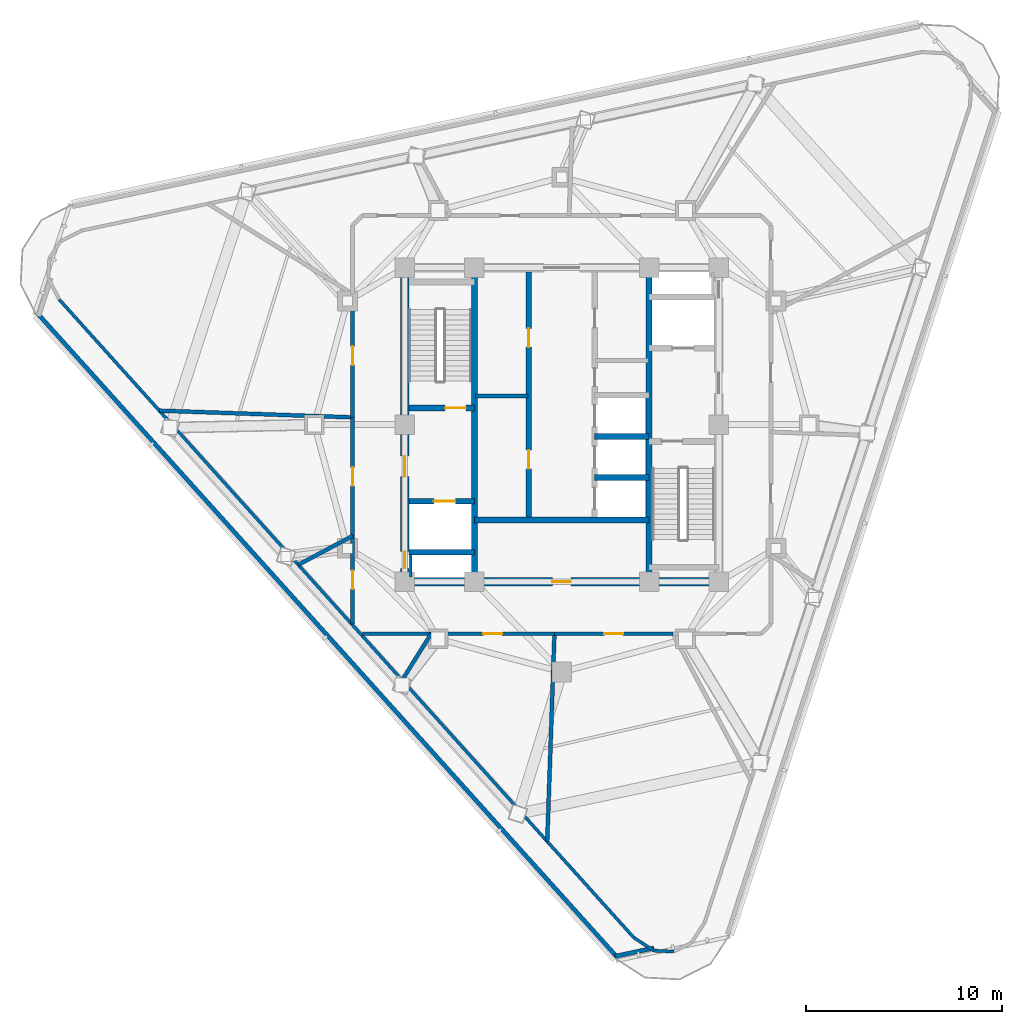
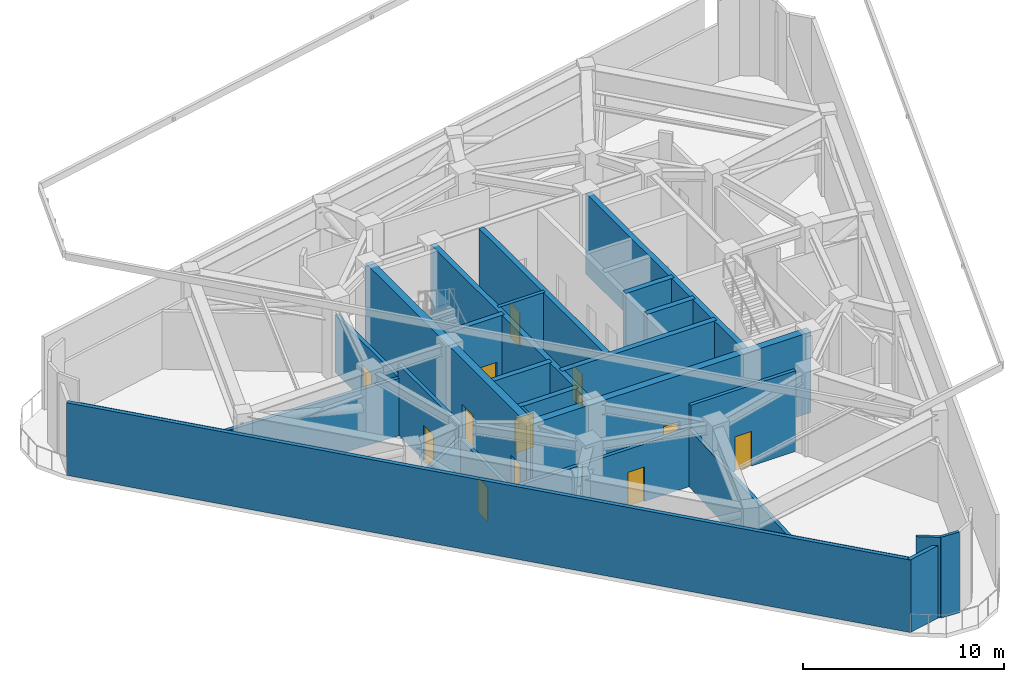
# One storey, part 3 of 10: 28 walls, 12 doors, 12 openings.
"""IFC4 building model written with IfcOpenShell, lengths in metres."""

from ifc_helpers import new_model, si_unit, direction, frame, frame_2d, origin, place, context, subcontext, project, spatial, rectangle, extrude, material, layer, layer_set, type_object, element, fill, save


model = new_model("IFC4")

# Units and contexts
model_context = context("Model", 3, precision=1e-05, world=origin(), true_north=direction((0.0, 1.0)))
body_context = subcontext(model_context, "Body", "Model", "MODEL_VIEW")
ifc_project = project(units=[si_unit("LENGTHUNIT", "METRE"), si_unit("AREAUNIT", "SQUARE_METRE"), si_unit("VOLUMEUNIT", "CUBIC_METRE"), si_unit("PLANEANGLEUNIT", "RADIAN"), si_unit("MASSUNIT", "GRAM", prefix="KILO")], contexts=[model_context])

# Site, building, storey
site_placement = place(None, origin())
site = spatial("IfcSite", under=ifc_project, at=site_placement, CompositionType="ELEMENT")
building_placement = place(site_placement, origin())
building = spatial("IfcBuilding", under=site, at=building_placement, Name="Terralouvre Media Tower", CompositionType="ELEMENT")
storey_placement = place(building_placement, frame((0.0, 0.0, 278.10009765625)))
storey = spatial("IfcBuildingStorey", under=building, at=storey_placement, Name="L72", CompositionType="ELEMENT", Elevation=278.10009765625)

# Walls
ifc_material_1 = material(Name="Concrete C50/60", Category="concrete")
ifc_layer_1 = layer(ifc_material_1, 0.300048828125, Name="Core Internal Shaft Wall CW-300")
ifc_layer_set_1 = layer_set([ifc_layer_1], Name="Concrete C50/60")
wall_type_1 = type_object("IfcWallType", Name="Core Internal Shaft Wall CW-300", PredefinedType="SHEAR", material=ifc_layer_set_1)
for number, where, z_axis, x_axis, name in (
    (1, (-4.449951171875, -7.7900390625, 0.0), (0.0, 0.0, 1.0), (0.0, 1.0, 0.0), "L72 Core Shaft Wall SPW"),
    (2, (4.449951171875, -7.7900390625, 0.0), (0.0, 0.0, 1.0), (0.0, 1.0, 0.0), "L72 Core Shaft Wall SPE"),
):
    element("IfcWall", number, at=place(storey_placement, frame(where, z_axis=z_axis, x_axis=x_axis)), inside=storey, type_object=wall_type_1, Name=name, PredefinedType="SHEAR", context=body_context, shape_type="SweptSolid", body=[
        extrude(rectangle(XDim=15.580078125, YDim=0.300048828125, at=frame_2d((7.7900390625, 0.0))), origin(), (0.0, 0.0, 1.0), 4.89990234375),
    ])

# Wall, opening, door
wall_1_placement = place(storey_placement, frame((-7.7900390625, 0.85009765625, 0.0), z_axis=(0.0, 0.0, 1.0), x_axis=(1.0, 0.0, 0.0)))
wall_1 = element("IfcWall", 3, at=wall_1_placement, inside=storey, type_object=wall_type_1, Name="L72 Core Shaft Wall ST1D", PredefinedType="SHEAR", context=body_context, shape_type="SweptSolid", body=[
    extrude(rectangle(XDim=3.340087890625, YDim=0.300048828125, at=frame_2d((1.669921875, 0.0))), origin(), (0.0, 0.0, 1.0), 4.89990234375),
])
opening_1_placement = place(wall_1_placement, frame((1.85009765625, 0.0, 0.0)))
opening_1 = element("IfcOpeningElement", 4, at=opening_1_placement, cuts=wall_1, Name="Opening FD-01-105X215", PredefinedType="OPENING", context=body_context, shape_type="SweptSolid", body=[
    extrude(rectangle(XDim=1.050048828125, YDim=2.14990234375, at=frame_2d((0.52490234375, 1.074951171875))), frame((0.0, 0.159912109375, 0.0), z_axis=(0.0, -1.0, 0.0), x_axis=(1.0, 0.0, 0.0)), (0.0, 0.0, 1.0), 0.320068359375),
])
ifc_material_2 = material(Name="Galvanised steel fire-resisting leaf", Category="steel")
door_type_1 = type_object("IfcDoorType", Name="Stair and Firefighting Lobby Fire Door FD-01 (1050x2150)", OperationType="NOTDEFINED", PredefinedType="DOOR", material=ifc_material_2)
door_1_placement = place(opening_1_placement, origin())
door_1 = element("IfcDoor", 5, at=door_1_placement, inside=storey, type_object=door_type_1, Name="L72 ST-01 Exit Stair Door", OperationType="SINGLE_SWING_LEFT", OverallHeight=2.14990234375, OverallWidth=1.050048828125, PredefinedType="DOOR", context=body_context, shape_type="SweptSolid", body=[
    extrude(rectangle(XDim=1.050048828125, YDim=2.14990234375, at=frame_2d((0.52490234375, 1.074951171875))), frame((0.0, 0.02490234375, 0.0), z_axis=(0.0, -1.0, 0.0), x_axis=(1.0, 0.0, 0.0)), (0.0, 0.0, 1.0), 0.050048828125),
])
fill(opening_1, door_1)

wall_2_placement = place(storey_placement, frame((-7.7900390625, -3.89990234375, 0.0), z_axis=(0.0, 0.0, 1.0), x_axis=(1.0, 0.0, 0.0)))
wall_2 = element("IfcWall", 6, at=wall_2_placement, inside=storey, type_object=wall_type_1, Name="L72 Core Shaft Wall FF1N", PredefinedType="SHEAR", context=body_context, shape_type="SweptSolid", body=[
    extrude(rectangle(XDim=3.340087890625, YDim=0.300048828125, at=frame_2d((1.669921875, 0.0))), origin(), (0.0, 0.0, 1.0), 4.89990234375),
])
opening_2_placement = place(wall_2_placement, frame((1.27001953125, 0.0, 0.0)))
opening_2 = element("IfcOpeningElement", 7, at=opening_2_placement, cuts=wall_2, Name="Opening LD-FF", PredefinedType="OPENING", context=body_context, shape_type="SweptSolid", body=[
    extrude(rectangle(XDim=1.10009765625, YDim=2.10009765625, at=frame_2d((0.550048828125, 1.050048828125))), frame((0.0, 0.159912109375, 0.0), z_axis=(0.0, -1.0, 0.0), x_axis=(1.0, 0.0, 0.0)), (0.0, 0.0, 1.0), 0.320068359375),
])
ifc_material_3 = material(Name="Stainless steel 316 handrail and balustrade", Category="steel")
door_type_2 = type_object("IfcDoorType", Name="Firefighting Lift Sliding Landing Door LD-FF", OperationType="SLIDING_TO_LEFT", PredefinedType="DOOR", material=ifc_material_3)
door_2_placement = place(opening_2_placement, origin())
door_2 = element("IfcDoor", 8, at=door_2_placement, inside=storey, type_object=door_type_2, Name="L72 Firefighting Lift FFL-01 Landing Door", OperationType="SLIDING_TO_LEFT", OverallHeight=2.10009765625, OverallWidth=1.10009765625, PredefinedType="DOOR", context=body_context, shape_type="SweptSolid", body=[
    extrude(rectangle(XDim=1.10009765625, YDim=2.10009765625, at=frame_2d((0.550048828125, 1.050048828125))), frame((0.0, 0.02490234375, 0.0), z_axis=(0.0, -1.0, 0.0), x_axis=(1.0, 0.0, 0.0)), (0.0, 0.0, 1.0), 0.050048828125),
])
fill(opening_2, door_2)

# Walls
wall_3_placement = place(storey_placement, frame((-7.7900390625, -6.5, 0.0), z_axis=(0.0, 0.0, 1.0), x_axis=(1.0, 0.0, 0.0)))
element("IfcWall", 9, at=wall_3_placement, inside=storey, type_object=wall_type_1, Name="L72 Core Shaft Wall FF1S", PredefinedType="SHEAR", context=body_context, shape_type="SweptSolid", body=[
    extrude(rectangle(XDim=3.340087890625, YDim=0.300048828125, at=frame_2d((1.669921875, 0.0))), origin(), (0.0, 0.0, 1.0), 4.89990234375),
])
wall_4_placement = place(storey_placement, frame((-4.449951171875, -4.85009765625, 0.0), z_axis=(0.0, 0.0, 1.0), x_axis=(1.0, 0.0, 0.0)))
element("IfcWall", 10, at=wall_4_placement, inside=storey, type_object=wall_type_1, Name="L72 Core Shaft Wall CSBN", PredefinedType="SHEAR", context=body_context, shape_type="SweptSolid", body=[
    extrude(rectangle(XDim=8.89990234375, YDim=0.300048828125, at=frame_2d((4.449951171875, 0.0))), origin(), (0.0, 0.0, 1.0), 4.89990234375),
])

# Wall, openings, doors
wall_5_placement = place(storey_placement, frame((-1.679931640625, -4.85009765625, 0.0), z_axis=(0.0, 0.0, 1.0), x_axis=(0.0, 1.0, 0.0)))
wall_5 = element("IfcWall", 11, at=wall_5_placement, inside=storey, type_object=wall_type_1, Name="L72 Core Shaft Wall LBW", PredefinedType="SHEAR", context=body_context, shape_type="SweptSolid", body=[
    extrude(rectangle(XDim=12.64013671875, YDim=0.300048828125, at=frame_2d((6.320068359375, 0.0))), origin(), (0.0, 0.0, 1.0), 4.89990234375),
])
opening_3_placement = place(wall_5_placement, frame((2.60009765625, 0.0, 0.0)))
opening_3 = element("IfcOpeningElement", 12, at=opening_3_placement, cuts=wall_5, Name="Opening FD-02-95X210", PredefinedType="OPENING", context=body_context, shape_type="SweptSolid", body=[
    extrude(rectangle(XDim=0.949951171875, YDim=2.10009765625, at=frame_2d((0.47509765625, 1.050048828125))), frame((0.0, 0.159912109375, 0.0), z_axis=(0.0, -1.0, 0.0), x_axis=(1.0, 0.0, 0.0)), (0.0, 0.0, 1.0), 0.320068359375),
])
opening_4_placement = place(wall_5_placement, frame((8.800048828125, 0.0, 0.0)))
opening_4 = element("IfcOpeningElement", 13, at=opening_4_placement, cuts=wall_5, Name="Opening FD-04-95X210", PredefinedType="OPENING", context=body_context, shape_type="SweptSolid", body=[
    extrude(rectangle(XDim=0.949951171875, YDim=2.10009765625, at=frame_2d((0.47509765625, 1.050048828125))), frame((0.0, 0.159912109375, 0.0), z_axis=(0.0, -1.0, 0.0), x_axis=(1.0, 0.0, 0.0)), (0.0, 0.0, 1.0), 0.320068359375),
])
ifc_material_4 = material(Name="Galvanised steel fire-resisting leaf", Category="steel")
door_type_3 = type_object("IfcDoorType", Name="Core Store and Service Fire Door FD-04 (950x2100)", OperationType="NOTDEFINED", PredefinedType="DOOR", material=ifc_material_4)
door_3_placement = place(opening_4_placement, origin())
door_3 = element("IfcDoor", 14, at=door_3_placement, inside=storey, type_object=door_type_3, Name="L72 Core Linen Store Door", OperationType="SINGLE_SWING_RIGHT", OverallHeight=2.10009765625, OverallWidth=0.949951171875, PredefinedType="DOOR", context=body_context, shape_type="SweptSolid", body=[
    extrude(rectangle(XDim=0.949951171875, YDim=2.10009765625, at=frame_2d((0.47509765625, 1.050048828125))), frame((0.0, 0.02490234375, 0.0), z_axis=(0.0, -1.0, 0.0), x_axis=(1.0, 0.0, 0.0)), (0.0, 0.0, 1.0), 0.050048828125),
])
fill(opening_4, door_3)
ifc_material_5 = material(Name="Galvanised steel fire-resisting leaf", Category="steel")
door_type_4 = type_object("IfcDoorType", Name="Plant and Riser Fire Door FD-02 (950x2100)", OperationType="NOTDEFINED", PredefinedType="DOOR", material=ifc_material_5)
door_4_placement = place(opening_3_placement, origin())
door_4 = element("IfcDoor", 15, at=door_4_placement, inside=storey, type_object=door_type_4, Name="L72 Core Fibre Patch Plant Door", OperationType="SINGLE_SWING_LEFT", OverallHeight=2.10009765625, OverallWidth=0.949951171875, PredefinedType="DOOR", context=body_context, shape_type="SweptSolid", body=[
    extrude(rectangle(XDim=0.949951171875, YDim=2.10009765625, at=frame_2d((0.47509765625, 1.050048828125))), frame((0.0, 0.02490234375, 0.0), z_axis=(0.0, -1.0, 0.0), x_axis=(1.0, 0.0, 0.0)), (0.0, 0.0, 1.0), 0.050048828125),
])
fill(opening_3, door_4)

# Walls
for number, where, z_axis, x_axis, name in (
    (16, (1.679931640625, -2.699951171875, 0.0), (0.0, 0.0, 1.0), (1.0, 0.0, 0.0), "L72 Core Shaft Wall PLHD1"),
    (17, (1.679931640625, -0.60009765625, 0.0), (0.0, 0.0, 1.0), (1.0, 0.0, 0.0), "L72 Core Shaft Wall PLHD2"),
):
    element("IfcWall", number, at=place(storey_placement, frame(where, z_axis=z_axis, x_axis=x_axis)), inside=storey, type_object=wall_type_1, Name=name, PredefinedType="SHEAR", context=body_context, shape_type="SweptSolid", body=[
        extrude(rectangle(XDim=2.77001953125, YDim=0.300048828125, at=frame_2d((1.385009765625, 0.0))), origin(), (0.0, 0.0, 1.0), 4.89990234375),
    ])

# Wall, openings, doors
ifc_material_6 = material(Name="Concrete C60/75", Category="concrete")
ifc_layer_2 = layer(ifc_material_6, 0.419921875, Name="Core Reinforced Concrete Shear Wall CW-420")
ifc_layer_set_2 = layer_set([ifc_layer_2], Name="Concrete C60/75")
wall_type_2 = type_object("IfcWallType", Name="Core Reinforced Concrete Shear Wall CW-420", PredefinedType="SHEAR", material=ifc_layer_set_2)
wall_6_placement = place(storey_placement, frame((-8.0, -8.0, 0.0), z_axis=(0.0, 0.0, 1.0), x_axis=(0.0, 1.0, 0.0)))
wall_6 = element("IfcWall", 18, at=wall_6_placement, inside=storey, type_object=wall_type_2, Name="L72 W Core Shear Wall", PredefinedType="SHEAR", context=body_context, shape_type="SweptSolid", body=[
    extrude(rectangle(XDim=16.0, YDim=0.419921875, at=frame_2d((8.0, 0.0))), origin(), (0.0, 0.0, 1.0), 4.89990234375),
])
opening_5_placement = place(wall_6_placement, frame((0.68115234375, 0.0, 0.0)))
opening_5 = element("IfcOpeningElement", 19, at=opening_5_placement, cuts=wall_6, Name="Opening TD-R1", PredefinedType="OPENING", context=body_context, shape_type="SweptSolid", body=[
    extrude(rectangle(XDim=0.85009765625, YDim=2.02001953125, at=frame_2d((0.425048828125, 1.010009765625))), frame((0.0, 0.219970703125, 0.0), z_axis=(0.0, -1.0, 0.0), x_axis=(1.0, 0.0, 0.0)), (0.0, 0.0, 1.0), 0.43994140625),
])
opening_6_placement = place(wall_6_placement, frame((5.35009765625, 0.0, 0.0)))
opening_6 = element("IfcOpeningElement", 20, at=opening_6_placement, cuts=wall_6, Name="Opening FD-01-105X215", PredefinedType="OPENING", context=body_context, shape_type="SweptSolid", body=[
    extrude(rectangle(XDim=1.050048828125, YDim=2.14990234375, at=frame_2d((0.52490234375, 1.074951171875))), frame((0.0, 0.219970703125, 0.0), z_axis=(0.0, -1.0, 0.0), x_axis=(1.0, 0.0, 0.0)), (0.0, 0.0, 1.0), 0.43994140625),
])
ifc_material_7 = material(Name="Galvanised steel fire-resisting leaf", Category="steel")
door_type_5 = type_object("IfcDoorType", Name="Riser Inspection Access Trapdoor TD-R1", OperationType="NOTDEFINED", PredefinedType="TRAPDOOR", material=ifc_material_7)
door_5_placement = place(opening_5_placement, origin())
door_5 = element("IfcDoor", 21, at=door_5_placement, inside=storey, type_object=door_type_5, Name="L72 Wet Riser Access Trapdoor", OperationType="SINGLE_SWING_LEFT", OverallHeight=2.02001953125, OverallWidth=0.85009765625, PredefinedType="TRAPDOOR", context=body_context, shape_type="SweptSolid", body=[
    extrude(rectangle(XDim=0.85009765625, YDim=2.02001953125, at=frame_2d((0.425048828125, 1.010009765625))), frame((0.0, 0.02490234375, 0.0), z_axis=(0.0, -1.0, 0.0), x_axis=(1.0, 0.0, 0.0)), (0.0, 0.0, 1.0), 0.050048828125),
])
fill(opening_5, door_5)
door_6_placement = place(opening_6_placement, origin())
door_6 = element("IfcDoor", 22, at=door_6_placement, inside=storey, type_object=door_type_1, Name="L72 West Firefighting Lobby Entry Door", OperationType="SINGLE_SWING_RIGHT", OverallHeight=2.14990234375, OverallWidth=1.050048828125, PredefinedType="DOOR", context=body_context, shape_type="SweptSolid", body=[
    extrude(rectangle(XDim=1.050048828125, YDim=2.14990234375, at=frame_2d((0.52490234375, 1.074951171875))), frame((0.0, 0.02490234375, 0.0), z_axis=(0.0, -1.0, 0.0), x_axis=(1.0, 0.0, 0.0)), (0.0, 0.0, 1.0), 0.050048828125),
])
fill(opening_6, door_6)

# Wall, opening, door
wall_7_placement = place(storey_placement, frame((-8.0, -8.0, 0.0), z_axis=(0.0, 0.0, 1.0), x_axis=(1.0, 0.0, 0.0)))
wall_7 = element("IfcWall", 23, at=wall_7_placement, inside=storey, type_object=wall_type_2, Name="L72 S Core Shear Wall", PredefinedType="SHEAR", context=body_context, shape_type="SweptSolid", body=[
    extrude(rectangle(XDim=16.0, YDim=0.419921875, at=frame_2d((8.0, 0.0))), origin(), (0.0, 0.0, 1.0), 4.89990234375),
])
opening_7_placement = place(wall_7_placement, frame((7.52001953125, 0.0, 0.0)))
opening_7 = element("IfcOpeningElement", 24, at=opening_7_placement, cuts=wall_7, Name="Opening FD-02-95X210", PredefinedType="OPENING", context=body_context, shape_type="SweptSolid", body=[
    extrude(rectangle(XDim=0.949951171875, YDim=2.10009765625, at=frame_2d((0.47509765625, 1.050048828125))), frame((0.0, 0.219970703125, 0.0), z_axis=(0.0, -1.0, 0.0), x_axis=(1.0, 0.0, 0.0)), (0.0, 0.0, 1.0), 0.43994140625),
])
door_7_placement = place(opening_7_placement, origin())
door_7 = element("IfcDoor", 25, at=door_7_placement, inside=storey, type_object=door_type_4, Name="L72 Core Switchgear Plant Door", OperationType="SINGLE_SWING_LEFT", OverallHeight=2.10009765625, OverallWidth=0.949951171875, PredefinedType="DOOR", context=body_context, shape_type="SweptSolid", body=[
    extrude(rectangle(XDim=0.949951171875, YDim=2.10009765625, at=frame_2d((0.47509765625, 1.050048828125))), frame((0.0, 0.02490234375, 0.0), z_axis=(0.0, -1.0, 0.0), x_axis=(1.0, 0.0, 0.0)), (0.0, 0.0, 1.0), 0.050048828125),
])
fill(opening_7, door_7)

# Walls
ifc_material_8 = material(Name="Fire-rated gypsum board drywall partition")
ifc_layer_3 = layer(ifc_material_8, 0.199951171875, Name="Fire-Rated Shaft and Lobby Partition FW-200")
ifc_layer_set_3 = layer_set([ifc_layer_3], Name="Fire-rated gypsum board drywall partition")
wall_type_3 = type_object("IfcWallType", Name="Fire-Rated Shaft and Lobby Partition FW-200", PredefinedType="SOLIDWALL", material=ifc_layer_set_3)
wall_8_placement = place(storey_placement, frame((-4.39990234375, 1.469970703125, 0.0), z_axis=(0.0, 0.0, 1.0), x_axis=(1.0, 0.0, 0.0)))
element("IfcWall", 26, at=wall_8_placement, inside=storey, type_object=wall_type_3, Name="L72 Core West Sub-Partition 1", PredefinedType="SOLIDWALL", context=body_context, shape_type="SweptSolid", body=[
    extrude(rectangle(XDim=2.679931640625, YDim=0.199951171875, at=frame_2d((1.33984375, 0.0))), origin(), (0.0, 0.0, 1.0), 4.89990234375),
])
wall_9_placement = place(storey_placement, frame((3.669921875, -26.128662109375, 0.0), z_axis=(0.0, 0.0, 1.0), x_axis=(-0.669133990093, 0.743141778735, 0.0)))
element("IfcWall", 27, at=wall_9_placement, inside=storey, type_object=wall_type_3, Name="L72 Belt-Truss Acoustic Plenum Liner Wall 01", PredefinedType="SOLIDWALL", context=body_context, shape_type="SweptSolid", body=[
    extrude(rectangle(XDim=43.74609375, YDim=0.159912109375, at=frame_2d((21.873046875, 0.0))), origin(), (0.0, 0.0, 1.0), 3.48486328125),
])
wall_10_placement = place(storey_placement, frame((5.70556640625, -26.843017578125, 0.0), z_axis=(0.0, 0.0, 1.0), x_axis=(-0.998624435262, 0.052433169821, 0.0)))
element("IfcWall", 28, at=wall_10_placement, inside=storey, type_object=wall_type_3, Name="L72 Belt-Truss Acoustic Plenum Liner Wall 14", PredefinedType="SOLIDWALL", context=body_context, shape_type="SweptSolid", body=[
    extrude(rectangle(XDim=1.019775390625, YDim=0.159912109375, at=frame_2d((0.509765625, 0.0))), origin(), (0.0, 0.0, 1.0), 4.89990234375),
])
wall_11_placement = place(storey_placement, frame((4.687255859375, -26.78955078125, 0.0), z_axis=(0.0, 0.0, 1.0), x_axis=(-0.838586121126, 0.544769049649, 0.0)))
element("IfcWall", 29, at=wall_11_placement, inside=storey, type_object=wall_type_3, Name="L72 Belt-Truss Acoustic Plenum Liner Wall 15", PredefinedType="SOLIDWALL", context=body_context, shape_type="SweptSolid", body=[
    extrude(rectangle(XDim=1.213134765625, YDim=0.159912109375, at=frame_2d((0.6064453125, 0.0))), origin(), (0.0, 0.0, 1.0), 4.89990234375),
])

# Wall, opening, door
wall_12_placement = place(storey_placement, frame((-10.64990234375, 0.3720703125, 0.0), z_axis=(0.0, 0.0, 1.0), x_axis=(0.0, -1.0, 0.0)))
wall_12 = element("IfcWall", 30, at=wall_12_placement, inside=storey, type_object=wall_type_3, Name="L72 Interior Partition 001", PredefinedType="SOLIDWALL", context=body_context, shape_type="SweptSolid", body=[
    extrude(rectangle(XDim=6.03515625, YDim=0.199951171875, at=frame_2d((3.017578125, 0.0))), origin(), (0.0, 0.0, 1.0), 4.284912109375),
])
opening_8_placement = place(wall_12_placement, frame((2.54248046875, 0.0, 0.0)))
opening_8 = element("IfcOpeningElement", 31, at=opening_8_placement, cuts=wall_12, Name="Opening FD-02-95X210", PredefinedType="OPENING", context=body_context, shape_type="SweptSolid", body=[
    extrude(rectangle(XDim=0.949951171875, YDim=2.10009765625, at=frame_2d((0.47509765625, 1.050048828125))), frame((0.0, 0.10986328125, 0.0), z_axis=(0.0, -1.0, 0.0), x_axis=(1.0, 0.0, 0.0)), (0.0, 0.0, 1.0), 0.219970703125),
])
door_8_placement = place(opening_8_placement, origin())
door_8 = element("IfcDoor", 32, at=door_8_placement, inside=storey, type_object=door_type_4, Name="L72 Designated Pressurised Refuge Holding Area West Door", OperationType="SINGLE_SWING_RIGHT", OverallHeight=2.10009765625, OverallWidth=0.949951171875, PredefinedType="DOOR", context=body_context, shape_type="SweptSolid", body=[
    extrude(rectangle(XDim=0.949951171875, YDim=2.10009765625, at=frame_2d((0.47509765625, 1.050048828125))), frame((0.0, 0.02490234375, 0.0), z_axis=(0.0, -1.0, 0.0), x_axis=(1.0, 0.0, 0.0)), (0.0, 0.0, 1.0), 0.050048828125),
])
fill(opening_8, door_8)

wall_13_placement = place(storey_placement, frame((-10.64990234375, -5.6630859375, 0.0), z_axis=(0.0, 0.0, 1.0), x_axis=(0.0, -1.0, 0.0)))
wall_13 = element("IfcWall", 33, at=wall_13_placement, inside=storey, type_object=wall_type_3, Name="L72 Interior Partition 002", PredefinedType="SOLIDWALL", context=body_context, shape_type="SweptSolid", body=[
    extrude(rectangle(XDim=4.48681640625, YDim=0.199951171875, at=frame_2d((2.243408203125, 0.0))), origin(), (0.0, 0.0, 1.0), 3.48486328125),
])
opening_9_placement = place(wall_13_placement, frame((1.7685546875, 0.0, 0.0)))
opening_9 = element("IfcOpeningElement", 34, at=opening_9_placement, cuts=wall_13, Name="Opening FD-02-95X210", PredefinedType="OPENING", context=body_context, shape_type="SweptSolid", body=[
    extrude(rectangle(XDim=0.949951171875, YDim=2.10009765625, at=frame_2d((0.47509765625, 1.050048828125))), frame((0.0, 0.10986328125, 0.0), z_axis=(0.0, -1.0, 0.0), x_axis=(1.0, 0.0, 0.0)), (0.0, 0.0, 1.0), 0.219970703125),
])
door_9_placement = place(opening_9_placement, origin())
door_9 = element("IfcDoor", 35, at=door_9_placement, inside=storey, type_object=door_type_4, Name="L72 Mechanical AHU and Smoke-Extract Plant Room Door", OperationType="SINGLE_SWING_LEFT", OverallHeight=2.10009765625, OverallWidth=0.949951171875, PredefinedType="DOOR", context=body_context, shape_type="SweptSolid", body=[
    extrude(rectangle(XDim=0.949951171875, YDim=2.10009765625, at=frame_2d((0.47509765625, 1.050048828125))), frame((0.0, 0.02490234375, 0.0), z_axis=(0.0, -1.0, 0.0), x_axis=(1.0, 0.0, 0.0)), (0.0, 0.0, 1.0), 0.050048828125),
])
fill(opening_9, door_9)

# Wall
wall_14_placement = place(storey_placement, frame((-10.14990234375, -10.64990234375, 0.0), z_axis=(0.0, 0.0, 1.0), x_axis=(1.0, 0.0, 0.0)))
element("IfcWall", 36, at=wall_14_placement, inside=storey, type_object=wall_type_3, Name="L72 Interior Partition 004", PredefinedType="SOLIDWALL", context=body_context, shape_type="SweptSolid", body=[
    extrude(rectangle(XDim=3.494873046875, YDim=0.199951171875, at=frame_2d((1.74755859375, 0.0))), origin(), (0.0, 0.0, 1.0), 3.48486328125),
])

# Wall, opening, door
wall_15_placement = place(storey_placement, frame((-6.655029296875, -10.64990234375, 0.0), z_axis=(0.0, 0.0, 1.0), x_axis=(1.0, 0.0, 0.0)))
wall_15 = element("IfcWall", 37, at=wall_15_placement, inside=storey, type_object=wall_type_3, Name="L72 Interior Partition 005", PredefinedType="SOLIDWALL", context=body_context, shape_type="SweptSolid", body=[
    extrude(rectangle(XDim=6.282958984375, YDim=0.199951171875, at=frame_2d((3.1416015625, 0.0))), origin(), (0.0, 0.0, 1.0), 3.48486328125),
])
opening_10_placement = place(wall_15_placement, frame((2.66650390625, 0.0, 0.0)))
opening_10 = element("IfcOpeningElement", 38, at=opening_10_placement, cuts=wall_15, Name="Opening FD-02-95X210", PredefinedType="OPENING", context=body_context, shape_type="SweptSolid", body=[
    extrude(rectangle(XDim=0.949951171875, YDim=2.10009765625, at=frame_2d((0.47509765625, 1.050048828125))), frame((0.0, 0.10986328125, 0.0), z_axis=(0.0, -1.0, 0.0), x_axis=(1.0, 0.0, 0.0)), (0.0, 0.0, 1.0), 0.219970703125),
])
door_10_placement = place(opening_10_placement, origin())
door_10 = element("IfcDoor", 39, at=door_10_placement, inside=storey, type_object=door_type_4, Name="L72 Fire and Domestic Booster Pump Plant Room Door", OperationType="SINGLE_SWING_RIGHT", OverallHeight=2.10009765625, OverallWidth=0.949951171875, PredefinedType="DOOR", context=body_context, shape_type="SweptSolid", body=[
    extrude(rectangle(XDim=0.949951171875, YDim=2.10009765625, at=frame_2d((0.47509765625, 1.050048828125))), frame((0.0, 0.02490234375, 0.0), z_axis=(0.0, -1.0, 0.0), x_axis=(1.0, 0.0, 0.0)), (0.0, 0.0, 1.0), 0.050048828125),
])
fill(opening_10, door_10)

wall_16_placement = place(storey_placement, frame((-0.3720703125, -10.64990234375, 0.0), z_axis=(0.0, 0.0, 1.0), x_axis=(1.0, 0.0, 0.0)))
wall_16 = element("IfcWall", 40, at=wall_16_placement, inside=storey, type_object=wall_type_3, Name="L72 Interior Partition 006", PredefinedType="SOLIDWALL", context=body_context, shape_type="SweptSolid", body=[
    extrude(rectangle(XDim=6.03515625, YDim=0.199951171875, at=frame_2d((3.017578125, 0.0))), origin(), (0.0, 0.0, 1.0), 4.89990234375),
])
opening_11_placement = place(wall_16_placement, frame((2.54248046875, 0.0, 0.0)))
opening_11 = element("IfcOpeningElement", 41, at=opening_11_placement, cuts=wall_16, Name="Opening FD-02-95X210", PredefinedType="OPENING", context=body_context, shape_type="SweptSolid", body=[
    extrude(rectangle(XDim=0.949951171875, YDim=2.10009765625, at=frame_2d((0.47509765625, 1.050048828125))), frame((0.0, 0.10986328125, 0.0), z_axis=(0.0, -1.0, 0.0), x_axis=(1.0, 0.0, 0.0)), (0.0, 0.0, 1.0), 0.219970703125),
])
door_11_placement = place(opening_11_placement, origin())
door_11 = element("IfcDoor", 42, at=door_11_placement, inside=storey, type_object=door_type_4, Name="L72 Chilled-Water Heat-Exchanger Plant Room Door", OperationType="SINGLE_SWING_LEFT", OverallHeight=2.10009765625, OverallWidth=0.949951171875, PredefinedType="DOOR", context=body_context, shape_type="SweptSolid", body=[
    extrude(rectangle(XDim=0.949951171875, YDim=2.10009765625, at=frame_2d((0.47509765625, 1.050048828125))), frame((0.0, 0.02490234375, 0.0), z_axis=(0.0, -1.0, 0.0), x_axis=(1.0, 0.0, 0.0)), (0.0, 0.0, 1.0), 0.050048828125),
])
fill(opening_11, door_11)

wall_17_placement = place(storey_placement, frame((-10.64990234375, 6.655029296875, 0.0), z_axis=(0.0, 0.0, 1.0), x_axis=(0.0, -1.0, 0.0)))
wall_17 = element("IfcWall", 43, at=wall_17_placement, inside=storey, type_object=wall_type_3, Name="L72 Interior Partition 020", PredefinedType="SOLIDWALL", context=body_context, shape_type="SweptSolid", body=[
    extrude(rectangle(XDim=6.282958984375, YDim=0.199951171875, at=frame_2d((3.1416015625, 0.0))), origin(), (0.0, 0.0, 1.0), 3.48486328125),
])
opening_12_placement = place(wall_17_placement, frame((2.66650390625, 0.0, 0.0)))
opening_12 = element("IfcOpeningElement", 44, at=opening_12_placement, cuts=wall_17, Name="Opening FD-02-95X210", PredefinedType="OPENING", context=body_context, shape_type="SweptSolid", body=[
    extrude(rectangle(XDim=0.949951171875, YDim=2.10009765625, at=frame_2d((0.47509765625, 1.050048828125))), frame((0.0, 0.10986328125, 0.0), z_axis=(0.0, -1.0, 0.0), x_axis=(1.0, 0.0, 0.0)), (0.0, 0.0, 1.0), 0.219970703125),
])
door_12_placement = place(opening_12_placement, origin())
door_12 = element("IfcDoor", 45, at=door_12_placement, inside=storey, type_object=door_type_4, Name="L72 Standby UPS Inverter Mechanical Plant Room Door", OperationType="SINGLE_SWING_LEFT", OverallHeight=2.10009765625, OverallWidth=0.949951171875, PredefinedType="DOOR", context=body_context, shape_type="SweptSolid", body=[
    extrude(rectangle(XDim=0.949951171875, YDim=2.10009765625, at=frame_2d((0.47509765625, 1.050048828125))), frame((0.0, 0.02490234375, 0.0), z_axis=(0.0, -1.0, 0.0), x_axis=(1.0, 0.0, 0.0)), (0.0, 0.0, 1.0), 0.050048828125),
])
fill(opening_12, door_12)

# Walls
wall_18_placement = place(storey_placement, frame((-13.427978515625, -7.139892578125, 0.0), z_axis=(0.0, 0.0, 1.0), x_axis=(0.882990100453, 0.469391608897, 0.0)))
element("IfcWall", 46, at=wall_18_placement, inside=storey, type_object=wall_type_3, Name="L72 Interior Partition 021", PredefinedType="SOLIDWALL", context=body_context, shape_type="SweptSolid", body=[
    extrude(rectangle(XDim=3.146240234375, YDim=0.199951171875, at=frame_2d((1.5732421875, 0.0))), origin(), (0.0, 0.0, 1.0), 3.48486328125),
])
wall_19_placement = place(storey_placement, frame((-10.64990234375, 0.3720703125, 0.0), z_axis=(0.0, 0.0, 1.0), x_axis=(-0.999390903009, 0.03489732057, 0.0)))
element("IfcWall", 47, at=wall_19_placement, inside=storey, type_object=wall_type_3, Name="L72 Interior Partition 022", PredefinedType="SOLIDWALL", context=body_context, shape_type="SweptSolid", body=[
    extrude(rectangle(XDim=9.857421875, YDim=0.199951171875, at=frame_2d((4.9287109375, 0.0))), origin(), (0.0, 0.0, 1.0), 3.48486328125),
])
wall_20_placement = place(storey_placement, frame((-8.135009765625, -13.01806640625, 0.0), z_axis=(0.0, 0.0, 1.0), x_axis=(0.5299675061, 0.848017949384, 0.0)))
element("IfcWall", 48, at=wall_20_placement, inside=storey, type_object=wall_type_3, Name="L72 Interior Partition 023", PredefinedType="SOLIDWALL", context=body_context, shape_type="SweptSolid", body=[
    extrude(rectangle(XDim=2.79248046875, YDim=0.199951171875, at=frame_2d((1.396240234375, 0.0))), origin(), (0.0, 0.0, 1.0), 3.48486328125),
])
wall_21_placement = place(storey_placement, frame((-0.740966796875, -21.22998046875, 0.0), z_axis=(0.0, 0.0, 1.0), x_axis=(0.034845910212, 0.999392696862, 0.0)))
element("IfcWall", 49, at=wall_21_placement, inside=storey, type_object=wall_type_3, Name="L72 Interior Partition 024", PredefinedType="SOLIDWALL", context=body_context, shape_type="SweptSolid", body=[
    extrude(rectangle(XDim=10.58642578125, YDim=0.199951171875, at=frame_2d((5.293212890625, 0.0))), origin(), (0.0, 0.0, 1.0), 3.48486328125),
])
ifc_material_9 = material(Name="Fire-rated gypsum board drywall partition")
ifc_layer_4 = layer(ifc_material_9, 0.1201171875, Name="Low Technical Plinth Furring Wall PT-PL120")
ifc_layer_set_4 = layer_set([ifc_layer_4], Name="Fire-rated gypsum board drywall partition")
wall_type_4 = type_object("IfcWallType", Name="Low Technical Plinth Furring Wall PT-PL120", PredefinedType="PLUMBINGWALL", material=ifc_layer_set_4)
wall_22_placement = place(storey_placement, frame((-7.699951171875, -7.75, 0.0), z_axis=(0.0, 0.0, 1.0), x_axis=(0.0, 1.0, 0.0)))
element("IfcWall", 50, at=wall_22_placement, inside=storey, type_object=wall_type_4, Name="L72 Wet Riser Plumbing Furring Wall 1", PredefinedType="PLUMBINGWALL", context=body_context, shape_type="SweptSolid", body=[
    extrude(rectangle(XDim=1.1298828125, YDim=0.1201171875, at=frame_2d((0.56494140625, 0.0))), origin(), (0.0, 0.0, 1.0), 4.89990234375),
])
ifc_material_10 = material(Name="Kiln-fired architectural terracotta rainscreen cladding", Category="masonry")
ifc_layer_5 = layer(ifc_material_10, 0.260009765625, Name="Recessed Sky-Garden Acoustic Wall EW-SG260")
ifc_layer_set_5 = layer_set([ifc_layer_5], Name="Kiln-fired architectural terracotta rainscreen cladding")
wall_type_5 = type_object("IfcWallType", Name="Recessed Sky-Garden Acoustic Wall EW-SG260", PredefinedType="SOLIDWALL", material=ifc_layer_set_5)
wall_23_placement = place(storey_placement, frame((-26.693115234375, 5.64990234375, 0.0), z_axis=(0.0, 0.0, 1.0), x_axis=(0.669131945078, -0.743143620087, 0.0)))
element("IfcWall", 51, at=wall_23_placement, inside=storey, type_object=wall_type_5, Name="L72 Facade Curtain Wall F2 Acoustic Plant Plinth Wall", PredefinedType="SOLIDWALL", context=body_context, shape_type="SweptSolid", body=[
    extrude(rectangle(XDim=44.119873046875, YDim=0.219970703125, at=frame_2d((22.06005859375, 0.0))), origin(), (0.0, 0.0, 1.0), 4.39990234375),
])
wall_24_placement = place(storey_placement, frame((2.71044921875, -27.080810546875, 0.0), z_axis=(0.0, 0.0, 1.0), x_axis=(0.978148140913, 0.207909149459, 0.0)))
element("IfcWall", 52, at=wall_24_placement, inside=storey, type_object=wall_type_5, Name="L72 Rounded Wind-Corner Curtain Wall C0 Acoustic Plant Plinth Wall", PredefinedType="SOLIDWALL", context=body_context, shape_type="SweptSolid", body=[
    extrude(rectangle(XDim=2.028076171875, YDim=0.219970703125, at=frame_2d((1.01416015625, 0.0))), origin(), (0.0, 0.0, 1.0), 4.39990234375),
])

save(model, "model.ifc")
